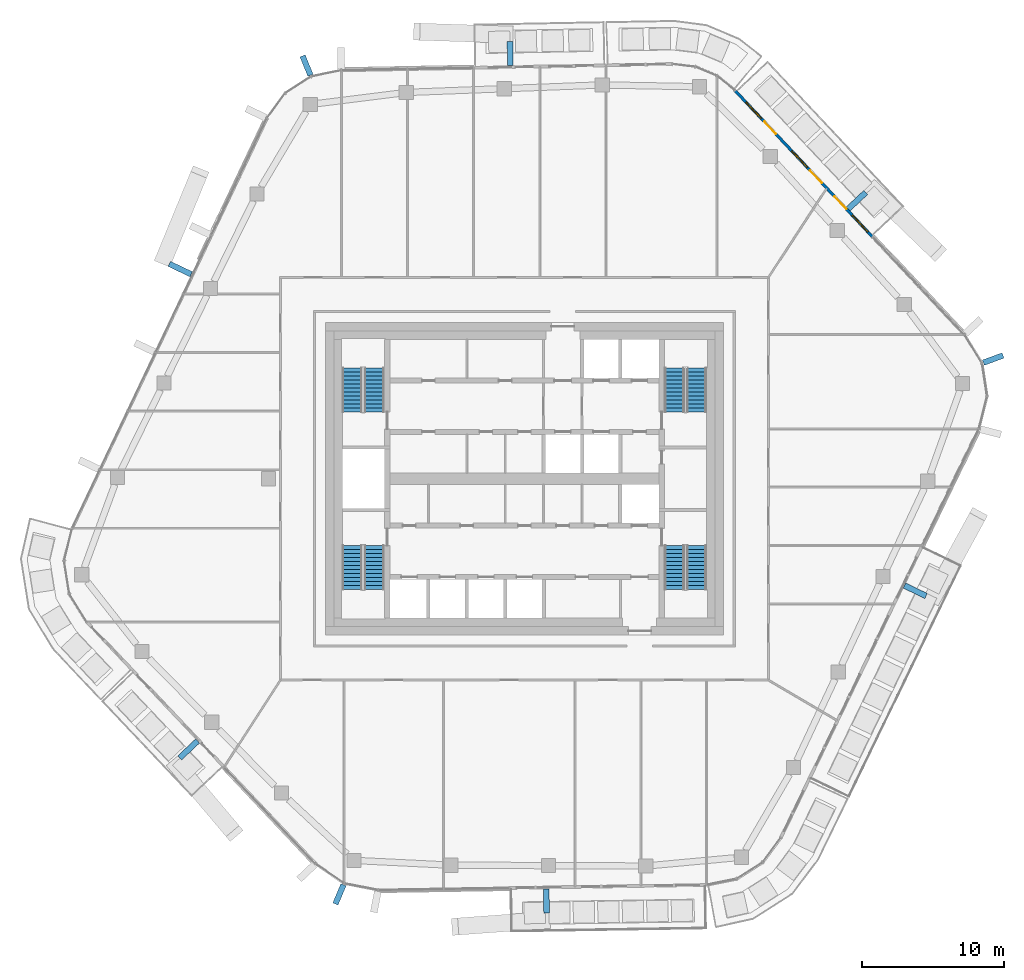
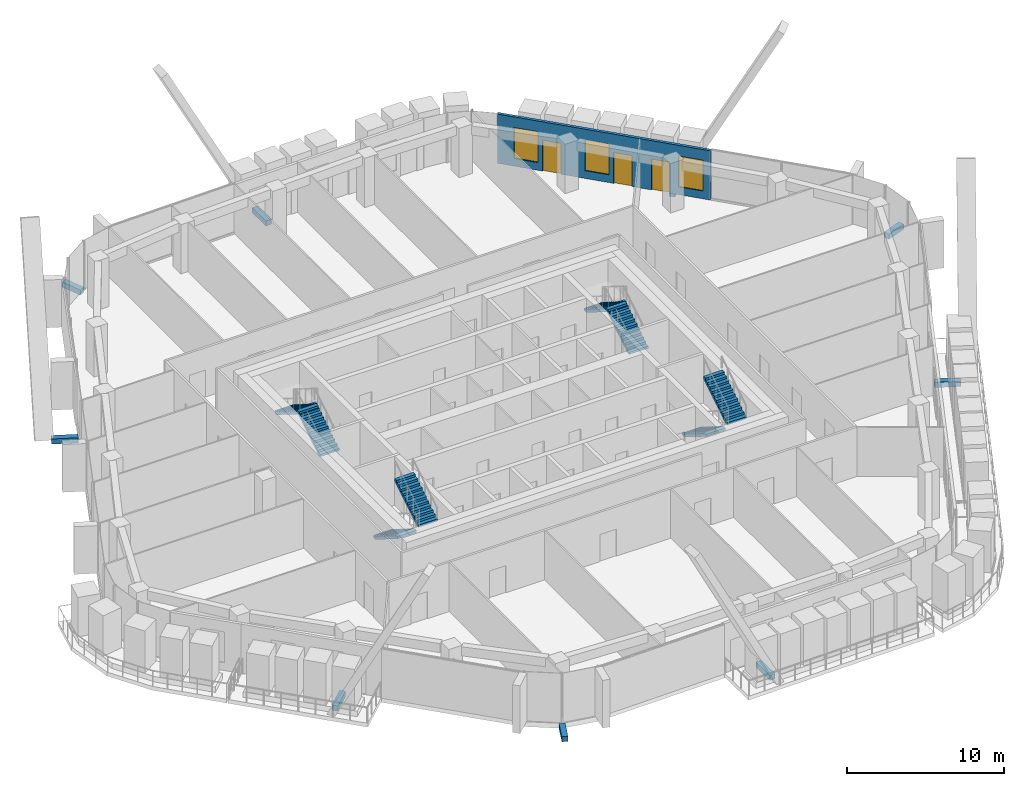
# One storey, part 17 of 24: 9 discrete accessories, 8 stair flights, 3 doors, 3 windows, 1 wall, 6 openings, 4 elements without a shape of their own.
"""IFC4 building model written with IfcOpenShell, lengths in metres."""

import ifcopenshell
import ifcopenshell.guid

model = None  # the IFC model being written
_history = None  # IfcOwnerHistory: only IFC2X3 demands one
_inside = {}  # id of a spatial element -> (the spatial element, [elements in it])
_under = {}  # id of a project, library or spatial element -> (it, [spatial elements below it])
_declared = {}  # id of a project -> (the project, [libraries it declares])
_typed = {}  # id of a type object -> (the type object, [elements of that type])
_made_of = {}  # id of a material, layer set ... -> (it, [elements and type objects made of it])


def new_model(schema):
    """Start an empty IFC model of exactly this schema.

    Asked for "IFC4X3", IfcOpenShell would pick the latest addendum, in which some entities
    have other attributes; the version numbers below select the first issue.
    IFC2X3 requires an IfcOwnerHistory on every rooted entity: one is made here for all.
    """
    global model, _history
    if schema == "IFC4X3":
        model = ifcopenshell.file(schema_version=(4, 3, 0, 0))
    else:
        model = ifcopenshell.file(schema=schema)
    _inside.clear()
    _under.clear()
    _declared.clear()
    _typed.clear()
    _made_of.clear()
    _history = None
    if model.schema == "IFC2X3":
        org = make("IfcOrganization", Name="unknown")
        user = make(
            "IfcPersonAndOrganization",
            ThePerson=make("IfcPerson", FamilyName="unknown"),
            TheOrganization=org,
        )
        app = make(
            "IfcApplication",
            ApplicationDeveloper=org,
            Version="unknown",
            ApplicationFullName="unknown",
            ApplicationIdentifier="unknown",
        )
        _history = make(
            "IfcOwnerHistory",
            OwningUser=user,
            OwningApplication=app,
            ChangeAction="ADDED",
            CreationDate=0,
        )
    return model


def make(cls, **values):
    """One entity of the class cls with the attributes given. An attribute that is None is left unset."""
    return model.create_entity(
        cls, **{name: value for name, value in values.items() if value is not None}
    )


def rooted(cls, **values):
    """An entity with a GlobalId (a new one), such as an element, a storey or a relation."""
    return make(cls, GlobalId=ifcopenshell.guid.new(), OwnerHistory=_history, **values)


def si_unit(unit_type, name, prefix=None):
    """IfcSIUnit, for example si_unit("LENGTHUNIT", "METRE", prefix="MILLI")."""
    return make("IfcSIUnit", UnitType=unit_type, Prefix=prefix, Name=name)


def assignment(units):
    """IfcUnitAssignment: the units of a project."""
    return None if units is None else make("IfcUnitAssignment", Units=units)


def point(xyz):
    """IfcCartesianPoint."""
    return None if xyz is None else make("IfcCartesianPoint", Coordinates=xyz)


def direction(xyz):
    """IfcDirection."""
    return None if xyz is None else make("IfcDirection", DirectionRatios=xyz)


def frame(location, z_axis=None, x_axis=None):
    """IfcAxis2Placement3D, a coordinate frame: its origin and axes. An axis left out is left unset."""
    return make(
        "IfcAxis2Placement3D",
        Location=point(location),
        Axis=direction(z_axis),
        RefDirection=direction(x_axis),
    )


def frame_2d(location, x_axis=None):
    """IfcAxis2Placement2D, a coordinate frame in the plane: its origin and x axis."""
    return make(
        "IfcAxis2Placement2D", Location=point(location), RefDirection=direction(x_axis)
    )


def origin():
    """The frame at (0, 0, 0) with its axes left unset."""
    return frame((0.0, 0.0, 0.0))


def origin_2d():
    """The frame at (0, 0) in the plane with its x axis left unset."""
    return frame_2d((0.0, 0.0))


def place(relative_to, where):
    """IfcLocalPlacement: puts the frame where relative to a parent placement (None: the world)."""
    return make(
        "IfcLocalPlacement", PlacementRelTo=relative_to, RelativePlacement=where
    )


def context(
    kind, dimensions, precision=None, world=None, true_north=None, identifier=None
):
    """IfcGeometricRepresentationContext, for example the 3D "Model" context."""
    return make(
        "IfcGeometricRepresentationContext",
        ContextIdentifier=identifier,
        ContextType=kind,
        CoordinateSpaceDimension=dimensions,
        Precision=precision,
        WorldCoordinateSystem=world,
        TrueNorth=true_north,
    )


def subcontext(parent, identifier, kind, view, scale=None):
    """IfcGeometricRepresentationSubContext, for example "Body" below "Model"."""
    return make(
        "IfcGeometricRepresentationSubContext",
        ContextIdentifier=identifier,
        ContextType=kind,
        ParentContext=parent,
        TargetScale=scale,
        TargetView=view,
    )


def project(units=None, contexts=None):
    """IfcProject with its units and contexts."""
    return rooted(
        "IfcProject",
        Name="project",
        RepresentationContexts=contexts,
        UnitsInContext=assignment(units),
    )


def spatial(cls, under=None, at=None, **own):
    """A site, building, storey or space (cls), placed at a placement, below another one or the project."""
    s = rooted(cls, ObjectPlacement=at, **own)
    if under is not None:
        _under.setdefault(under.id(), (under, []))[1].append(s)
    return s


def polyline(points):
    """IfcPolyline through the points."""
    return make("IfcPolyline", Points=[point(p) for p in points])


def profile(cls, at=None, kind="AREA", **sizes):
    """A parametric profile (cls). Its sizes go by their IFC names, for example OverallWidth=200.0."""
    return make(cls, ProfileType=kind, Position=at, **sizes)


def rectangle(**sizes):
    """IfcRectangleProfileDef."""
    return profile("IfcRectangleProfileDef", **sizes)


def outline(outer, holes=None, kind="AREA"):
    """IfcArbitraryClosedProfileDef: a profile drawn as a closed curve; with holes, ...WithVoids."""
    if holes is None:
        return make("IfcArbitraryClosedProfileDef", ProfileType=kind, OuterCurve=outer)
    return make(
        "IfcArbitraryProfileDefWithVoids",
        ProfileType=kind,
        OuterCurve=outer,
        InnerCurves=holes,
    )


def extrude(swept, where, along, depth):
    """IfcExtrudedAreaSolid: the profile swept, set in the frame where, extruded along a direction by depth."""
    return make(
        "IfcExtrudedAreaSolid",
        SweptArea=swept,
        Position=where,
        ExtrudedDirection=direction(along),
        Depth=depth,
    )


def shape(context_of_items, identifier, shape_type, items):
    """IfcShapeRepresentation: the items that make up one representation, for example the "Body"."""
    return make(
        "IfcShapeRepresentation",
        ContextOfItems=context_of_items,
        RepresentationIdentifier=identifier,
        RepresentationType=shape_type,
        Items=items,
    )


def material(Name=None, Category=None):
    """IfcMaterial."""
    return make("IfcMaterial", Name=Name, Category=Category)


def layer(
    of_material, thickness, ventilated=None, Name=None, Category=None, Priority=None
):
    """IfcMaterialLayer: one layer of a wall or slab, of a material (None: an air gap)."""
    return make(
        "IfcMaterialLayer",
        Material=of_material,
        LayerThickness=thickness,
        IsVentilated=ventilated,
        Name=Name,
        Category=Category,
        Priority=Priority,
    )


def layer_set(layers, Name=None):
    """IfcMaterialLayerSet."""
    return make("IfcMaterialLayerSet", MaterialLayers=layers, LayerSetName=Name)


def made_of(thing, what):
    """Note that an element or type object is made of a material, layer set ...; save() writes the relation."""
    if what is not None:
        _made_of.setdefault(what.id(), (what, []))[1].append(thing)
    return thing


def type_object(cls, material=None, **own):
    """A type object (cls), such as IfcWallType, which elements share."""
    return made_of(rooted(cls, **own), material)


def element(
    cls,
    number,
    at=None,
    inside=None,
    cuts=None,
    type_object=None,
    material=None,
    context=None,
    identifier="Body",
    shape_type=None,
    held_by="IfcProductDefinitionShape",
    body=None,
    shapes=None,
    **own,
):
    """One element of the class cls, such as IfcWall. Its Tag is "e" and its number.

    at: its placement. inside: the storey or other place that contains it. cuts: it is an
    opening in that element (IfcRelVoidsElement). A single representation is given by context,
    identifier, shape_type and body (its items); several are given by shapes. held_by: the class
    of the entity that holds the representations. save() writes the other relations.
    """
    e = rooted(cls, Tag="e%d" % number, ObjectPlacement=at, **own)
    if body is not None:
        shapes = [shape(context, identifier, shape_type, body)]
    if shapes is not None:
        e.Representation = make(held_by, Representations=shapes)
    if inside is not None:
        _inside.setdefault(inside.id(), (inside, []))[1].append(e)
    if cuts is not None:
        rooted(
            "IfcRelVoidsElement", RelatingBuildingElement=cuts, RelatedOpeningElement=e
        )
    if type_object is not None:
        _typed.setdefault(type_object.id(), (type_object, []))[1].append(e)
    return made_of(e, material)


def fill(opening, filler):
    """IfcRelFillsElement: the door or window that sits in an opening."""
    return rooted(
        "IfcRelFillsElement",
        RelatingOpeningElement=opening,
        RelatedBuildingElement=filler,
    )


def aggregate(whole, parts):
    """IfcRelAggregates: a whole, such as a stair, and the parts it consists of."""
    return rooted("IfcRelAggregates", RelatingObject=whole, RelatedObjects=parts)


def save(model, path):
    """Write the relations noted so far, then the file.

    IfcRelAggregates (storeys below a building ...), IfcRelContainedInSpatialStructure (elements
    in a storey), IfcRelDefinesByType, IfcRelAssociatesMaterial and IfcRelDeclares: one each for
    every whole, place, type object, material and project.
    """
    for whole, parts in _under.values():
        aggregate(whole, parts)
    for where, things in _inside.values():
        rooted(
            "IfcRelContainedInSpatialStructure",
            RelatedElements=things,
            RelatingStructure=where,
        )
    for kind, things in _typed.values():
        rooted("IfcRelDefinesByType", RelatedObjects=things, RelatingType=kind)
    for what, things in _made_of.values():
        rooted("IfcRelAssociatesMaterial", RelatedObjects=things, RelatingMaterial=what)
    for by, libraries in _declared.values():
        rooted("IfcRelDeclares", RelatingContext=by, RelatedDefinitions=libraries)
    model.write(path)


model = new_model("IFC4")

# Units and contexts
model_context = context("Model", 3, precision=1e-05, world=origin(), true_north=direction((0.0, 1.0)))
body_context = subcontext(model_context, "Body", "Model", "MODEL_VIEW")
ifc_project = project(units=[si_unit("LENGTHUNIT", "METRE"), si_unit("AREAUNIT", "SQUARE_METRE"), si_unit("VOLUMEUNIT", "CUBIC_METRE"), si_unit("PLANEANGLEUNIT", "RADIAN"), si_unit("MASSUNIT", "GRAM", prefix="KILO")], contexts=[model_context])

# Site, building, storey
site_placement = place(None, origin())
site = spatial("IfcSite", under=ifc_project, at=site_placement, CompositionType="ELEMENT")
building_placement = place(site_placement, origin())
building = spatial("IfcBuilding", under=site, at=building_placement, Name="Dongbaek Canopy Tower", CompositionType="ELEMENT")
storey_placement = place(building_placement, frame((0.0, 0.0, 298.39990234375)))
storey = spatial("IfcBuildingStorey", under=building, at=storey_placement, Name="L63", CompositionType="ELEMENT", Elevation=298.39990234375)

# Wall, openings, doors, windows
ifc_material_1 = material(Name="Aluminium window wall", Category="aluminium")
ifc_layer_1 = layer(ifc_material_1, 0.199951171875)
ifc_layer_set_1 = layer_set([ifc_layer_1], Name="Window wall 200")
wall_type = type_object("IfcWallType", Name="Window wall 200", PredefinedType="SOLIDWALL", material=ifc_layer_set_1)
wall_placement = place(storey_placement, frame((24.482421875, 17.000244140625, 0.0), z_axis=(0.0, 0.0, 1.0), x_axis=(-0.684823965592, 0.728708539919, 0.0)))
wall = element("IfcWall", 1, at=wall_placement, inside=storey, type_object=wall_type, Name="Window wall L63 1", PredefinedType="SOLIDWALL", context=body_context, shape_type="SweptSolid", body=[
    extrude(rectangle(XDim=14.130615234375, YDim=0.199951171875, at=frame_2d((7.0654296875, 0.0))), origin(), (0.0, 0.0, 1.0), 3.820068359375),
])
opening_1_placement = place(wall_placement, frame((0.5, 0.0, 0.60009765625)))
opening_1 = element("IfcOpeningElement", 2, at=opening_1_placement, cuts=wall, Name="Opening W1", PredefinedType="OPENING", context=body_context, shape_type="SweptSolid", body=[
    extrude(rectangle(XDim=1.60009765625, YDim=2.39990234375, at=frame_2d((0.800048828125, 1.199951171875))), frame((0.0, 0.10986328125, 0.0), z_axis=(0.0, -1.0, 0.0), x_axis=(1.0, 0.0, 0.0)), (0.0, 0.0, 1.0), 0.219970703125),
])
opening_2_placement = place(wall_placement, frame((2.699951171875, 0.0, 0.0)))
opening_2 = element("IfcOpeningElement", 3, at=opening_2_placement, cuts=wall, Name="Opening L63-B01", PredefinedType="OPENING", context=body_context, shape_type="SweptSolid", body=[
    extrude(rectangle(XDim=1.199951171875, YDim=2.39990234375, at=frame_2d((0.60009765625, 1.199951171875))), frame((0.0, 0.10986328125, 0.0), z_axis=(0.0, -1.0, 0.0), x_axis=(1.0, 0.0, 0.0)), (0.0, 0.0, 1.0), 0.219970703125),
])
opening_3_placement = place(wall_placement, frame((6.710205078125, 0.0, 0.60009765625)))
opening_3 = element("IfcOpeningElement", 4, at=opening_3_placement, cuts=wall, Name="Opening W1", PredefinedType="OPENING", context=body_context, shape_type="SweptSolid", body=[
    extrude(rectangle(XDim=1.60009765625, YDim=2.39990234375, at=frame_2d((0.800048828125, 1.199951171875))), frame((0.0, 0.10986328125, 0.0), z_axis=(0.0, -1.0, 0.0), x_axis=(1.0, 0.0, 0.0)), (0.0, 0.0, 1.0), 0.219970703125),
])
opening_4_placement = place(wall_placement, frame((5.210205078125, 0.0, 0.0)))
opening_4 = element("IfcOpeningElement", 5, at=opening_4_placement, cuts=wall, Name="Opening L63-B02", PredefinedType="OPENING", context=body_context, shape_type="SweptSolid", body=[
    extrude(rectangle(XDim=1.199951171875, YDim=2.39990234375, at=frame_2d((0.60009765625, 1.199951171875))), frame((0.0, 0.10986328125, 0.0), z_axis=(0.0, -1.0, 0.0), x_axis=(1.0, 0.0, 0.0)), (0.0, 0.0, 1.0), 0.219970703125),
])
opening_5_placement = place(wall_placement, frame((11.42041015625, 0.0, 0.60009765625)))
opening_5 = element("IfcOpeningElement", 6, at=opening_5_placement, cuts=wall, Name="Opening W1", PredefinedType="OPENING", context=body_context, shape_type="SweptSolid", body=[
    extrude(rectangle(XDim=1.60009765625, YDim=2.39990234375, at=frame_2d((0.800048828125, 1.199951171875))), frame((0.0, 0.10986328125, 0.0), z_axis=(0.0, -1.0, 0.0), x_axis=(1.0, 0.0, 0.0)), (0.0, 0.0, 1.0), 0.219970703125),
])
opening_6_placement = place(wall_placement, frame((9.92041015625, 0.0, 0.0)))
opening_6 = element("IfcOpeningElement", 7, at=opening_6_placement, cuts=wall, Name="Opening L63-B03", PredefinedType="OPENING", context=body_context, shape_type="SweptSolid", body=[
    extrude(rectangle(XDim=1.199951171875, YDim=2.39990234375, at=frame_2d((0.60009765625, 1.199951171875))), frame((0.0, 0.10986328125, 0.0), z_axis=(0.0, -1.0, 0.0), x_axis=(1.0, 0.0, 0.0)), (0.0, 0.0, 1.0), 0.219970703125),
])
ifc_material_2 = material(Name="Clear glazing in aluminium frame", Category="aluminium")
door_type = type_object("IfcDoorType", Name="Balcony door BD1 1200 x 2400", OperationType="SLIDING_TO_LEFT", PredefinedType="DOOR", material=ifc_material_2)
door_1_placement = place(opening_2_placement, origin())
door_1 = element("IfcDoor", 8, at=door_1_placement, inside=storey, type_object=door_type, Name="Balcony door L63-B01", OperationType="SLIDING_TO_LEFT", OverallHeight=2.39990234375, OverallWidth=1.199951171875, PredefinedType="DOOR", context=body_context, shape_type="SweptSolid", body=[
    extrude(rectangle(XDim=1.199951171875, YDim=2.39990234375, at=frame_2d((0.60009765625, 1.199951171875))), frame((0.0, 0.02490234375, 0.0), z_axis=(0.0, -1.0, 0.0), x_axis=(1.0, 0.0, 0.0)), (0.0, 0.0, 1.0), 0.050048828125),
])
fill(opening_2, door_1)
door_2_placement = place(opening_4_placement, origin())
door_2 = element("IfcDoor", 9, at=door_2_placement, inside=storey, type_object=door_type, Name="Balcony door L63-B02", OperationType="SLIDING_TO_LEFT", OverallHeight=2.39990234375, OverallWidth=1.199951171875, PredefinedType="DOOR", context=body_context, shape_type="SweptSolid", body=[
    extrude(rectangle(XDim=1.199951171875, YDim=2.39990234375, at=frame_2d((0.60009765625, 1.199951171875))), frame((0.0, 0.02490234375, 0.0), z_axis=(0.0, -1.0, 0.0), x_axis=(1.0, 0.0, 0.0)), (0.0, 0.0, 1.0), 0.050048828125),
])
fill(opening_4, door_2)
door_3_placement = place(opening_6_placement, origin())
door_3 = element("IfcDoor", 10, at=door_3_placement, inside=storey, type_object=door_type, Name="Balcony door L63-B03", OperationType="SLIDING_TO_LEFT", OverallHeight=2.39990234375, OverallWidth=1.199951171875, PredefinedType="DOOR", context=body_context, shape_type="SweptSolid", body=[
    extrude(rectangle(XDim=1.199951171875, YDim=2.39990234375, at=frame_2d((0.60009765625, 1.199951171875))), frame((0.0, 0.02490234375, 0.0), z_axis=(0.0, -1.0, 0.0), x_axis=(1.0, 0.0, 0.0)), (0.0, 0.0, 1.0), 0.050048828125),
])
fill(opening_6, door_3)
ifc_material_3 = material(Name="Clear glazing in aluminium frame", Category="aluminium")
window_type = type_object("IfcWindowType", Name="Window W1 1600 x 2400", PartitioningType="SINGLE_PANEL", PredefinedType="WINDOW", material=ifc_material_3)
window_1_placement = place(opening_1_placement, origin())
window_1 = element("IfcWindow", 11, at=window_1_placement, inside=storey, type_object=window_type, Name="Window L63 1.1", OverallHeight=2.39990234375, OverallWidth=1.60009765625, PartitioningType="SINGLE_PANEL", PredefinedType="WINDOW", context=body_context, shape_type="SweptSolid", body=[
    extrude(rectangle(XDim=1.60009765625, YDim=2.39990234375, at=frame_2d((0.800048828125, 1.199951171875))), frame((0.0, 0.030029296875, 0.0), z_axis=(0.0, -1.0, 0.0), x_axis=(1.0, 0.0, 0.0)), (0.0, 0.0, 1.0), 0.06005859375),
])
fill(opening_1, window_1)
window_2_placement = place(opening_3_placement, origin())
window_2 = element("IfcWindow", 12, at=window_2_placement, inside=storey, type_object=window_type, Name="Window L63 1.2", OverallHeight=2.39990234375, OverallWidth=1.60009765625, PartitioningType="SINGLE_PANEL", PredefinedType="WINDOW", context=body_context, shape_type="SweptSolid", body=[
    extrude(rectangle(XDim=1.60009765625, YDim=2.39990234375, at=frame_2d((0.800048828125, 1.199951171875))), frame((0.0, 0.030029296875, 0.0), z_axis=(0.0, -1.0, 0.0), x_axis=(1.0, 0.0, 0.0)), (0.0, 0.0, 1.0), 0.06005859375),
])
fill(opening_3, window_2)
window_3_placement = place(opening_5_placement, origin())
window_3 = element("IfcWindow", 13, at=window_3_placement, inside=storey, type_object=window_type, Name="Window L63 1.3", OverallHeight=2.39990234375, OverallWidth=1.60009765625, PartitioningType="SINGLE_PANEL", PredefinedType="WINDOW", context=body_context, shape_type="SweptSolid", body=[
    extrude(rectangle(XDim=1.60009765625, YDim=2.39990234375, at=frame_2d((0.800048828125, 1.199951171875))), frame((0.0, 0.030029296875, 0.0), z_axis=(0.0, -1.0, 0.0), x_axis=(1.0, 0.0, 0.0)), (0.0, 0.0, 1.0), 0.06005859375),
])
fill(opening_5, window_3)

# Stair, stair flights
ifc_material_4 = material(Name="Concrete C40/50", Category="concrete")
stair_type = type_object("IfcStairType", Name="Core exit stair", PredefinedType="HALF_TURN_STAIR", material=ifc_material_4)
stair_1_placement = place(storey_placement, origin())
stair_1 = element("IfcStair", 14, at=stair_1_placement, inside=storey, type_object=stair_type, Name="L63 exit stair A", PredefinedType="HALF_TURN_STAIR")
ifc_material_5 = material(Name="Concrete C40/50", Category="concrete")
ifc_layer_2 = layer(ifc_material_5, 0.14990234375)
ifc_layer_set_2 = layer_set([ifc_layer_2], Name="Core stair flight 150 waist")
stair_flight_type = type_object("IfcStairFlightType", Name="Core stair flight 150 waist", PredefinedType="STRAIGHT", material=ifc_layer_set_2)
stair_flight_1_placement = place(storey_placement, frame((12.10009765625, 4.699951171875, 0.0), z_axis=(0.0, 0.0, 1.0), x_axis=(0.0, 1.0, 0.0)))
stair_flight_1 = element("IfcStairFlight", 15, at=stair_flight_1_placement, type_object=stair_flight_type, Name="ST-A flight 1", NumberOfRisers=12, NumberOfTreads=11, PredefinedType="STRAIGHT", RiserHeight=0.175, TreadLength=0.28, context=body_context, shape_type="SweptSolid", body=[
    extrude(outline(polyline([(0.0, 0.0), (0.0, 0.175048828125), (0.280029296875, 0.175048828125), (0.280029296875, 0.35009765625), (0.56005859375, 0.35009765625), (0.56005859375, 0.52490234375), (0.840087890625, 0.52490234375), (0.840087890625, 0.699951171875), (1.1201171875, 0.699951171875), (1.1201171875, 0.875), (1.39990234375, 0.875), (1.39990234375, 1.050048828125), (1.679931640625, 1.050048828125), (1.679931640625, 1.22509765625), (1.9599609375, 1.22509765625), (1.9599609375, 1.39990234375), (2.239990234375, 1.39990234375), (2.239990234375, 1.574951171875), (2.52001953125, 1.574951171875), (2.52001953125, 1.75), (2.800048828125, 1.75), (2.800048828125, 1.925048828125), (3.080078125, 1.925048828125), (3.080078125, 2.10009765625), (3.080078125, 1.748291015625), (0.28271484375, 0.0), (0.0, 0.0)])), frame((0.0, 0.699951171875, 0.0), z_axis=(0.0, -1.0, 0.0), x_axis=(1.0, 0.0, 0.0)), (0.0, 0.0, 1.0), 1.39990234375),
])
stair_flight_2_placement = place(storey_placement, frame((10.550048828125, 7.780029296875, 2.10009765625), z_axis=(0.0, 0.0, 1.0), x_axis=(0.0, -1.0, 0.0)))
stair_flight_2 = element("IfcStairFlight", 16, at=stair_flight_2_placement, type_object=stair_flight_type, Name="ST-A flight 2", NumberOfRisers=12, NumberOfTreads=11, PredefinedType="STRAIGHT", RiserHeight=0.175, TreadLength=0.28, context=body_context, shape_type="SweptSolid", body=[
    extrude(outline(polyline([(0.0, 0.0), (0.0, 0.175048828125), (0.280029296875, 0.175048828125), (0.280029296875, 0.35009765625), (0.56005859375, 0.35009765625), (0.56005859375, 0.52490234375), (0.840087890625, 0.52490234375), (0.840087890625, 0.699951171875), (1.1201171875, 0.699951171875), (1.1201171875, 0.875), (1.39990234375, 0.875), (1.39990234375, 1.050048828125), (1.679931640625, 1.050048828125), (1.679931640625, 1.22509765625), (1.9599609375, 1.22509765625), (1.9599609375, 1.39990234375), (2.239990234375, 1.39990234375), (2.239990234375, 1.574951171875), (2.52001953125, 1.574951171875), (2.52001953125, 1.75), (2.800048828125, 1.75), (2.800048828125, 1.925048828125), (3.080078125, 1.925048828125), (3.080078125, 2.10009765625), (3.080078125, 1.748291015625), (0.28271484375, 0.0), (0.0, 0.0)])), frame((0.0, 0.699951171875, 0.0), z_axis=(0.0, -1.0, 0.0), x_axis=(1.0, 0.0, 0.0)), (0.0, 0.0, 1.0), 1.39990234375),
])
aggregate(stair_1, [stair_flight_1, stair_flight_2])

stair_2_placement = place(storey_placement, origin())
stair_2 = element("IfcStair", 17, at=stair_2_placement, inside=storey, type_object=stair_type, Name="L63 exit stair C", PredefinedType="HALF_TURN_STAIR")
stair_flight_3_placement = place(storey_placement, frame((-10.550048828125, 4.699951171875, 0.0), z_axis=(0.0, 0.0, 1.0), x_axis=(0.0, 1.0, 0.0)))
stair_flight_3 = element("IfcStairFlight", 18, at=stair_flight_3_placement, type_object=stair_flight_type, Name="ST-C flight 1", NumberOfRisers=12, NumberOfTreads=11, PredefinedType="STRAIGHT", RiserHeight=0.175, TreadLength=0.28, context=body_context, shape_type="SweptSolid", body=[
    extrude(outline(polyline([(0.0, 0.0), (0.0, 0.175048828125), (0.280029296875, 0.175048828125), (0.280029296875, 0.35009765625), (0.56005859375, 0.35009765625), (0.56005859375, 0.52490234375), (0.840087890625, 0.52490234375), (0.840087890625, 0.699951171875), (1.1201171875, 0.699951171875), (1.1201171875, 0.875), (1.39990234375, 0.875), (1.39990234375, 1.050048828125), (1.679931640625, 1.050048828125), (1.679931640625, 1.22509765625), (1.9599609375, 1.22509765625), (1.9599609375, 1.39990234375), (2.239990234375, 1.39990234375), (2.239990234375, 1.574951171875), (2.52001953125, 1.574951171875), (2.52001953125, 1.75), (2.800048828125, 1.75), (2.800048828125, 1.925048828125), (3.080078125, 1.925048828125), (3.080078125, 2.10009765625), (3.080078125, 1.748291015625), (0.28271484375, 0.0), (0.0, 0.0)])), frame((0.0, 0.699951171875, 0.0), z_axis=(0.0, -1.0, 0.0), x_axis=(1.0, 0.0, 0.0)), (0.0, 0.0, 1.0), 1.39990234375),
])
stair_flight_4_placement = place(storey_placement, frame((-12.10009765625, 7.780029296875, 2.10009765625), z_axis=(0.0, 0.0, 1.0), x_axis=(0.0, -1.0, 0.0)))
stair_flight_4 = element("IfcStairFlight", 19, at=stair_flight_4_placement, type_object=stair_flight_type, Name="ST-C flight 2", NumberOfRisers=12, NumberOfTreads=11, PredefinedType="STRAIGHT", RiserHeight=0.175, TreadLength=0.28, context=body_context, shape_type="SweptSolid", body=[
    extrude(outline(polyline([(0.0, 0.0), (0.0, 0.175048828125), (0.280029296875, 0.175048828125), (0.280029296875, 0.35009765625), (0.56005859375, 0.35009765625), (0.56005859375, 0.52490234375), (0.840087890625, 0.52490234375), (0.840087890625, 0.699951171875), (1.1201171875, 0.699951171875), (1.1201171875, 0.875), (1.39990234375, 0.875), (1.39990234375, 1.050048828125), (1.679931640625, 1.050048828125), (1.679931640625, 1.22509765625), (1.9599609375, 1.22509765625), (1.9599609375, 1.39990234375), (2.239990234375, 1.39990234375), (2.239990234375, 1.574951171875), (2.52001953125, 1.574951171875), (2.52001953125, 1.75), (2.800048828125, 1.75), (2.800048828125, 1.925048828125), (3.080078125, 1.925048828125), (3.080078125, 2.10009765625), (3.080078125, 1.748291015625), (0.28271484375, 0.0), (0.0, 0.0)])), frame((0.0, 0.699951171875, 0.0), z_axis=(0.0, -1.0, 0.0), x_axis=(1.0, 0.0, 0.0)), (0.0, 0.0, 1.0), 1.39990234375),
])
aggregate(stair_2, [stair_flight_3, stair_flight_4])

stair_3_placement = place(storey_placement, origin())
stair_3 = element("IfcStair", 20, at=stair_3_placement, inside=storey, type_object=stair_type, Name="L63 exit stair B", PredefinedType="HALF_TURN_STAIR")
stair_flight_5_placement = place(storey_placement, frame((10.550048828125, -4.699951171875, 0.0), z_axis=(0.0, 0.0, 1.0), x_axis=(0.0, -1.0, 0.0)))
stair_flight_5 = element("IfcStairFlight", 21, at=stair_flight_5_placement, type_object=stair_flight_type, Name="ST-B flight 1", NumberOfRisers=12, NumberOfTreads=11, PredefinedType="STRAIGHT", RiserHeight=0.175, TreadLength=0.28, context=body_context, shape_type="SweptSolid", body=[
    extrude(outline(polyline([(0.0, 0.0), (0.0, 0.175048828125), (0.280029296875, 0.175048828125), (0.280029296875, 0.35009765625), (0.56005859375, 0.35009765625), (0.56005859375, 0.52490234375), (0.840087890625, 0.52490234375), (0.840087890625, 0.699951171875), (1.1201171875, 0.699951171875), (1.1201171875, 0.875), (1.39990234375, 0.875), (1.39990234375, 1.050048828125), (1.679931640625, 1.050048828125), (1.679931640625, 1.22509765625), (1.9599609375, 1.22509765625), (1.9599609375, 1.39990234375), (2.239990234375, 1.39990234375), (2.239990234375, 1.574951171875), (2.52001953125, 1.574951171875), (2.52001953125, 1.75), (2.800048828125, 1.75), (2.800048828125, 1.925048828125), (3.080078125, 1.925048828125), (3.080078125, 2.10009765625), (3.080078125, 1.748291015625), (0.28271484375, 0.0), (0.0, 0.0)])), frame((0.0, 0.699951171875, 0.0), z_axis=(0.0, -1.0, 0.0), x_axis=(1.0, 0.0, 0.0)), (0.0, 0.0, 1.0), 1.39990234375),
])
stair_flight_6_placement = place(storey_placement, frame((12.10009765625, -7.780029296875, 2.10009765625), z_axis=(0.0, 0.0, 1.0), x_axis=(0.0, 1.0, 0.0)))
stair_flight_6 = element("IfcStairFlight", 22, at=stair_flight_6_placement, type_object=stair_flight_type, Name="ST-B flight 2", NumberOfRisers=12, NumberOfTreads=11, PredefinedType="STRAIGHT", RiserHeight=0.175, TreadLength=0.28, context=body_context, shape_type="SweptSolid", body=[
    extrude(outline(polyline([(0.0, 0.0), (0.0, 0.175048828125), (0.280029296875, 0.175048828125), (0.280029296875, 0.35009765625), (0.56005859375, 0.35009765625), (0.56005859375, 0.52490234375), (0.840087890625, 0.52490234375), (0.840087890625, 0.699951171875), (1.1201171875, 0.699951171875), (1.1201171875, 0.875), (1.39990234375, 0.875), (1.39990234375, 1.050048828125), (1.679931640625, 1.050048828125), (1.679931640625, 1.22509765625), (1.9599609375, 1.22509765625), (1.9599609375, 1.39990234375), (2.239990234375, 1.39990234375), (2.239990234375, 1.574951171875), (2.52001953125, 1.574951171875), (2.52001953125, 1.75), (2.800048828125, 1.75), (2.800048828125, 1.925048828125), (3.080078125, 1.925048828125), (3.080078125, 2.10009765625), (3.080078125, 1.748291015625), (0.28271484375, 0.0), (0.0, 0.0)])), frame((0.0, 0.699951171875, 0.0), z_axis=(0.0, -1.0, 0.0), x_axis=(1.0, 0.0, 0.0)), (0.0, 0.0, 1.0), 1.39990234375),
])
aggregate(stair_3, [stair_flight_5, stair_flight_6])

stair_4_placement = place(storey_placement, origin())
stair_4 = element("IfcStair", 23, at=stair_4_placement, inside=storey, type_object=stair_type, Name="L63 exit stair D", PredefinedType="HALF_TURN_STAIR")
stair_flight_7_placement = place(storey_placement, frame((-12.10009765625, -4.699951171875, 0.0), z_axis=(0.0, 0.0, 1.0), x_axis=(0.0, -1.0, 0.0)))
stair_flight_7 = element("IfcStairFlight", 24, at=stair_flight_7_placement, type_object=stair_flight_type, Name="ST-D flight 1", NumberOfRisers=12, NumberOfTreads=11, PredefinedType="STRAIGHT", RiserHeight=0.175, TreadLength=0.28, context=body_context, shape_type="SweptSolid", body=[
    extrude(outline(polyline([(0.0, 0.0), (0.0, 0.175048828125), (0.280029296875, 0.175048828125), (0.280029296875, 0.35009765625), (0.56005859375, 0.35009765625), (0.56005859375, 0.52490234375), (0.840087890625, 0.52490234375), (0.840087890625, 0.699951171875), (1.1201171875, 0.699951171875), (1.1201171875, 0.875), (1.39990234375, 0.875), (1.39990234375, 1.050048828125), (1.679931640625, 1.050048828125), (1.679931640625, 1.22509765625), (1.9599609375, 1.22509765625), (1.9599609375, 1.39990234375), (2.239990234375, 1.39990234375), (2.239990234375, 1.574951171875), (2.52001953125, 1.574951171875), (2.52001953125, 1.75), (2.800048828125, 1.75), (2.800048828125, 1.925048828125), (3.080078125, 1.925048828125), (3.080078125, 2.10009765625), (3.080078125, 1.748291015625), (0.28271484375, 0.0), (0.0, 0.0)])), frame((0.0, 0.699951171875, 0.0), z_axis=(0.0, -1.0, 0.0), x_axis=(1.0, 0.0, 0.0)), (0.0, 0.0, 1.0), 1.39990234375),
])
stair_flight_8_placement = place(storey_placement, frame((-10.550048828125, -7.780029296875, 2.10009765625), z_axis=(0.0, 0.0, 1.0), x_axis=(0.0, 1.0, 0.0)))
stair_flight_8 = element("IfcStairFlight", 25, at=stair_flight_8_placement, type_object=stair_flight_type, Name="ST-D flight 2", NumberOfRisers=12, NumberOfTreads=11, PredefinedType="STRAIGHT", RiserHeight=0.175, TreadLength=0.28, context=body_context, shape_type="SweptSolid", body=[
    extrude(outline(polyline([(0.0, 0.0), (0.0, 0.175048828125), (0.280029296875, 0.175048828125), (0.280029296875, 0.35009765625), (0.56005859375, 0.35009765625), (0.56005859375, 0.52490234375), (0.840087890625, 0.52490234375), (0.840087890625, 0.699951171875), (1.1201171875, 0.699951171875), (1.1201171875, 0.875), (1.39990234375, 0.875), (1.39990234375, 1.050048828125), (1.679931640625, 1.050048828125), (1.679931640625, 1.22509765625), (1.9599609375, 1.22509765625), (1.9599609375, 1.39990234375), (2.239990234375, 1.39990234375), (2.239990234375, 1.574951171875), (2.52001953125, 1.574951171875), (2.52001953125, 1.75), (2.800048828125, 1.75), (2.800048828125, 1.925048828125), (3.080078125, 1.925048828125), (3.080078125, 2.10009765625), (3.080078125, 1.748291015625), (0.28271484375, 0.0), (0.0, 0.0)])), frame((0.0, 0.699951171875, 0.0), z_axis=(0.0, -1.0, 0.0), x_axis=(1.0, 0.0, 0.0)), (0.0, 0.0, 1.0), 1.39990234375),
])
aggregate(stair_4, [stair_flight_7, stair_flight_8])

# Discrete accessories
ifc_material_6 = material(Name="Galvanised steel S355 bracket", Category="steel")
discrete_accessory_type = type_object("IfcDiscreteAccessoryType", Name="Crease fin bracket BR3 400", PredefinedType="BRACKET", material=ifc_material_6)
discrete_accessory_1_placement = place(storey_placement, frame((27.4794921875, -7.8740234375, -0.389892578125), z_axis=(0.0, 0.0, 1.0), x_axis=(0.900013181955, -0.435862675975, 0.0)))
element("IfcDiscreteAccessory", 26, at=discrete_accessory_1_placement, inside=storey, type_object=discrete_accessory_type, Name="Crease fin bracket L63 F5", PredefinedType="BRACKET", context=body_context, shape_type="SweptSolid", body=[
    extrude(rectangle(XDim=1.689453125, YDim=0.39990234375, at=origin_2d()), origin(), (0.0, 0.0, 1.0), 0.39990234375),
])
discrete_accessory_2_placement = place(storey_placement, frame((23.381591796875, 19.5537109375, -0.389892578125), z_axis=(0.0, 0.0, 1.0), x_axis=(0.728702140715, 0.684830774803, 0.0)))
element("IfcDiscreteAccessory", 27, at=discrete_accessory_2_placement, inside=storey, type_object=discrete_accessory_type, Name="Crease fin bracket L63 F0", PredefinedType="BRACKET", context=body_context, shape_type="SweptSolid", body=[
    extrude(rectangle(XDim=1.692626953125, YDim=0.39990234375, at=origin_2d()), origin(), (0.0, 0.0, 1.0), 0.39990234375),
])
discrete_accessory_3_placement = place(storey_placement, frame((-1.002685546875, 29.8955078125, -0.389892578125), z_axis=(0.0, 0.0, 1.0), x_axis=(-0.0189042803, 0.999821298126, 0.0)))
element("IfcDiscreteAccessory", 28, at=discrete_accessory_3_placement, inside=storey, type_object=discrete_accessory_type, Name="Crease fin bracket L63 F1", PredefinedType="BRACKET", context=body_context, shape_type="SweptSolid", body=[
    extrude(rectangle(XDim=1.699951171875, YDim=0.39990234375, at=origin_2d()), origin(), (0.0, 0.0, 1.0), 0.39990234375),
])
discrete_accessory_4_placement = place(storey_placement, frame((-24.19580078125, 14.74267578125, -0.389892578125), z_axis=(0.0, 0.0, 1.0), x_axis=(-0.903236449331, 0.42914323553, 0.0)))
element("IfcDiscreteAccessory", 29, at=discrete_accessory_4_placement, inside=storey, type_object=discrete_accessory_type, Name="Crease fin bracket L63 F2", PredefinedType="BRACKET", context=body_context, shape_type="SweptSolid", body=[
    extrude(rectangle(XDim=1.70068359375, YDim=0.39990234375, at=origin_2d()), origin(), (0.0, 0.0, 1.0), 0.39990234375),
])
discrete_accessory_5_placement = place(storey_placement, frame((-23.60791015625, -19.028076171875, -0.389892578125), z_axis=(0.0, 0.0, 1.0), x_axis=(-0.726355181425, -0.687319540255, 0.0)))
element("IfcDiscreteAccessory", 30, at=discrete_accessory_5_placement, inside=storey, type_object=discrete_accessory_type, Name="Crease fin bracket L63 F3", PredefinedType="BRACKET", context=body_context, shape_type="SweptSolid", body=[
    extrude(rectangle(XDim=1.722412109375, YDim=0.39990234375, at=origin_2d()), origin(), (0.0, 0.0, 1.0), 0.39990234375),
])
discrete_accessory_6_placement = place(storey_placement, frame((1.54638671875, -29.685302734375, -0.389892578125), z_axis=(0.0, 0.0, 1.0), x_axis=(0.015684630827, -0.999876988612, 0.0)))
element("IfcDiscreteAccessory", 31, at=discrete_accessory_6_placement, inside=storey, type_object=discrete_accessory_type, Name="Crease fin bracket L63 F4", PredefinedType="BRACKET", context=body_context, shape_type="SweptSolid", body=[
    extrude(rectangle(XDim=1.71728515625, YDim=0.39990234375, at=origin_2d()), origin(), (0.0, 0.0, 1.0), 0.39990234375),
])
for number, where, z_axis, x_axis, name in (
    (32, (32.95849609375, 8.41748046875, -0.389892578125), (0.0, 0.0, 1.0), (0.938484585253, 0.345321130606, 0.0), "Corner fin bracket L63 K0"),
    (33, (-15.323486328125, 29.05517578125, -0.389892578125), (0.0, 0.0, 1.0), (-0.378666386385, 0.925533234315, 0.0), "Corner fin bracket L63 K2"),
    (34, (-13.005615234375, -29.219970703125, -0.389892578125), (0.0, 0.0, 1.0), (-0.388183200954, -0.921582227746, 0.0), "Corner fin bracket L63 K4"),
):
    element("IfcDiscreteAccessory", number, at=place(storey_placement, frame(where, z_axis=z_axis, x_axis=x_axis)), inside=storey, type_object=discrete_accessory_type, Name=name, PredefinedType="BRACKET", context=body_context, shape_type="SweptSolid", body=[
        extrude(rectangle(XDim=1.469970703125, YDim=0.39990234375, at=origin_2d()), origin(), (0.0, 0.0, 1.0), 0.39990234375),
    ])

save(model, "model.ifc")
